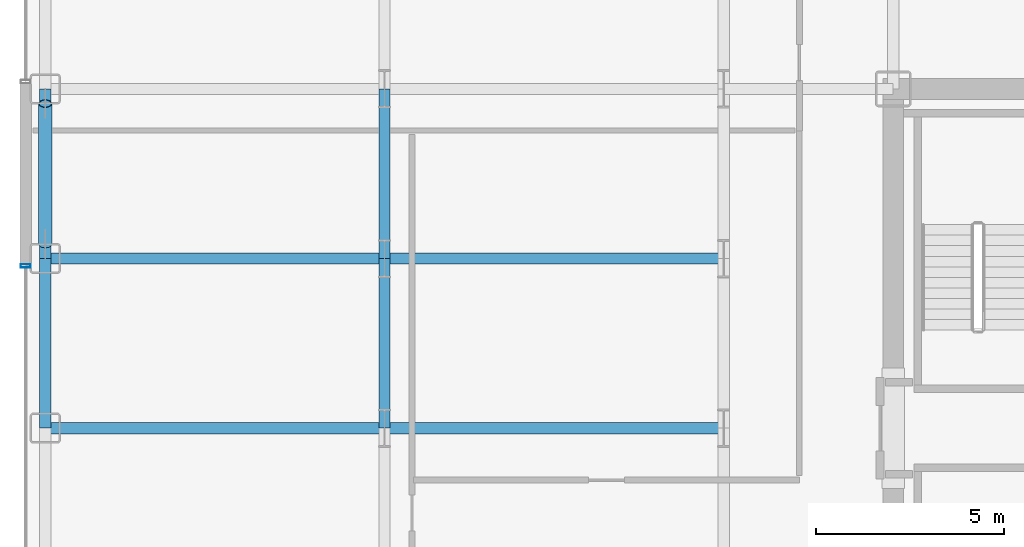
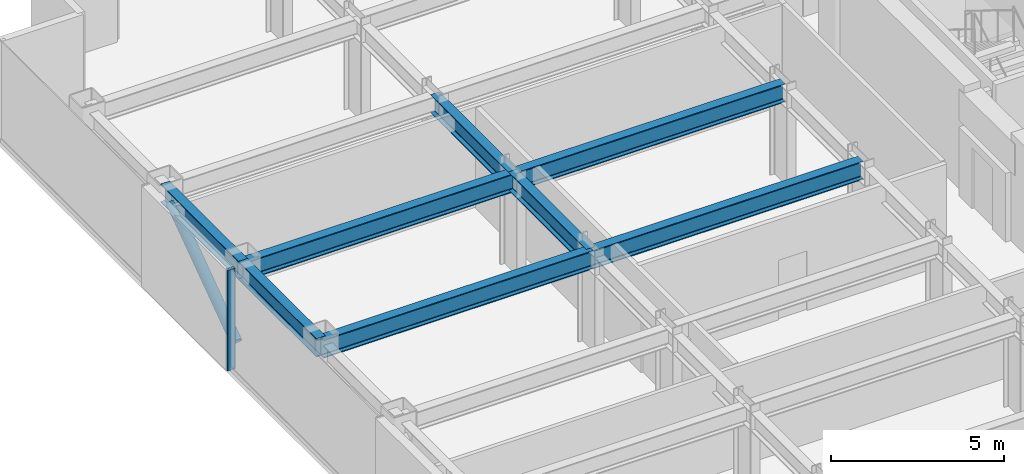
# One storey, part 6 of 29: 8 beams, 2 members, 1 element without a shape of its own.
"""IFC4 building model written with IfcOpenShell, lengths in metres."""

from ifc_helpers import new_model, si_unit, direction, frame, origin, origin_2d, place, context, subcontext, project, spatial, hollow_rectangle, hollow_circle, i_section, extrude, source, transform, mapped, material, layer, layer_set, material_profile, profile_set, type_object, element, aggregate, save


model = new_model("IFC4")

# Units and contexts
model_context = context("Model", 3, precision=1e-05, world=origin(), true_north=direction((0.0, 1.0)))
body_context = subcontext(model_context, "Body", "Model", "MODEL_VIEW")
ifc_project = project(units=[si_unit("LENGTHUNIT", "METRE"), si_unit("AREAUNIT", "SQUARE_METRE"), si_unit("VOLUMEUNIT", "CUBIC_METRE"), si_unit("PLANEANGLEUNIT", "RADIAN"), si_unit("MASSUNIT", "GRAM", prefix="KILO")], contexts=[model_context])

# Site, building, storey
site_placement = place(None, origin())
site = spatial("IfcSite", under=ifc_project, at=site_placement, CompositionType="ELEMENT")
building_placement = place(site_placement, origin())
building = spatial("IfcBuilding", under=site, at=building_placement, Name="Nefas-Gora Pilgrimage Tower", CompositionType="ELEMENT")
storey_placement = place(building_placement, frame((0.0, 0.0, 136.39990234375)))
storey = spatial("IfcBuildingStorey", under=building, at=storey_placement, Name="L33", CompositionType="ELEMENT", Elevation=136.39990234375)

# Beams
ifc_material_1 = material(Name="Steel S355", Category="steel")
ifc_material_profile_1 = material_profile(ifc_material_1, i_section(OverallWidth=0.300048828125, OverallDepth=0.64990234375, WebThickness=0.01611328125, FlangeThickness=0.031005859375, FilletRadius=0.027099609375, at=origin_2d()), Name="HEB 650")
ifc_profile_set_1 = profile_set([ifc_material_profile_1], Name="Steel S355")
beam_type_1 = type_object("IfcBeamType", Name="BM-SPN-HEB500", PredefinedType="SPANDREL", material=ifc_profile_set_1)
shared_shape_1 = source(origin(), body_context, "Body", "SweptSolid", [
    extrude(i_section(OverallWidth=0.300048828125, OverallDepth=0.64990234375, WebThickness=0.01611328125, FlangeThickness=0.031005859375, FilletRadius=0.027099609375, at=origin_2d()), origin(), (0.0, 0.0, 1.0), 4.5),
])
for number, where, z_axis, x_axis, name in (
    (1, (-33.75, 0.0, 3.22509765625), (0.0, 1.0, 0.0), (-1.0, 0.0, 0.0), "L33 SP-02 beam"),
    (2, (-33.75, 4.5, 3.22509765625), (0.0, 1.0, 0.0), (-1.0, 0.0, 0.0), "L33 SP-02 beam"),
):
    element("IfcBeam", number, at=place(storey_placement, frame(where, z_axis=z_axis, x_axis=x_axis)), inside=storey, type_object=beam_type_1, Name=name, PredefinedType="SPANDREL", context=body_context, shape_type="MappedRepresentation", body=[
        mapped(shared_shape_1, transform((0.0, 0.0, 0.0), x_axis=(1.0, 0.0, 0.0), y_axis=(0.0, 1.0, 0.0), z_axis=(0.0, 0.0, 1.0), scale=1.0)),
    ])
ifc_material_profile_2 = material_profile(ifc_material_1, i_section(OverallWidth=0.300048828125, OverallDepth=0.64990234375, WebThickness=0.01611328125, FlangeThickness=0.031005859375, FilletRadius=0.027099609375, at=origin_2d()), Name="HEB 650")
ifc_profile_set_2 = profile_set([ifc_material_profile_2], Name="Steel S355")
beam_type_2 = type_object("IfcBeamType", Name="BM-GIR-HEB650", PredefinedType="BEAM", material=ifc_profile_set_2)
shared_shape_2 = source(origin(), body_context, "Body", "SweptSolid", [
    extrude(i_section(OverallWidth=0.300048828125, OverallDepth=0.64990234375, WebThickness=0.01611328125, FlangeThickness=0.031005859375, FilletRadius=0.027099609375, at=origin_2d()), origin(), (0.0, 0.0, 1.0), 9.0),
])
for number, where, z_axis, x_axis, name in (
    (3, (-33.75, 0.0, 3.22509765625), (1.0, 0.0, 0.0), (0.0, 1.0, 0.0), "L33 G-03 beam"),
    (4, (-33.75, 4.5, 3.22509765625), (1.0, 0.0, 0.0), (0.0, 1.0, 0.0), "L33 G-03 beam"),
    (5, (-24.75, 0.0, 3.22509765625), (1.0, 0.0, 0.0), (0.0, 1.0, 0.0), "L33 G-03 beam"),
    (6, (-24.75, 4.5, 3.22509765625), (1.0, 0.0, 0.0), (0.0, 1.0, 0.0), "L33 G-03 beam"),
):
    element("IfcBeam", number, at=place(storey_placement, frame(where, z_axis=z_axis, x_axis=x_axis)), inside=storey, type_object=beam_type_2, Name=name, PredefinedType="BEAM", context=body_context, shape_type="MappedRepresentation", body=[
        mapped(shared_shape_2, transform((0.0, 0.0, 0.0), x_axis=(1.0, 0.0, 0.0), y_axis=(0.0, 1.0, 0.0), z_axis=(0.0, 0.0, 1.0), scale=1.0)),
    ])
shared_shape_3 = source(origin(), body_context, "Body", "SweptSolid", [
    extrude(i_section(OverallWidth=0.300048828125, OverallDepth=0.64990234375, WebThickness=0.01611328125, FlangeThickness=0.031005859375, FilletRadius=0.027099609375, at=origin_2d()), origin(), (0.0, 0.0, 1.0), 4.5),
])
for number, where, z_axis, x_axis, name in (
    (7, (-24.75, 0.0, 3.22509765625), (0.0, 1.0, 0.0), (-1.0, 0.0, 0.0), "L33 G-03 beam"),
    (8, (-24.75, 4.5, 3.22509765625), (0.0, 1.0, 0.0), (-1.0, 0.0, 0.0), "L33 G-03 beam"),
):
    element("IfcBeam", number, at=place(storey_placement, frame(where, z_axis=z_axis, x_axis=x_axis)), inside=storey, type_object=beam_type_2, Name=name, PredefinedType="BEAM", context=body_context, shape_type="MappedRepresentation", body=[
        mapped(shared_shape_3, transform((0.0, 0.0, 0.0), x_axis=(1.0, 0.0, 0.0), y_axis=(0.0, 1.0, 0.0), z_axis=(0.0, 0.0, 1.0), scale=1.0)),
    ])

# Member
ifc_material_2 = material(Name="Steel S460", Category="steel")
ifc_material_profile_3 = material_profile(ifc_material_2, hollow_circle(Radius=0.177734375, WallThickness=0.02001953125, at=origin_2d()), Name="CHS 355.6x20")
ifc_profile_set_3 = profile_set([ifc_material_profile_3], Name="Steel S460")
member_type_1 = type_object("IfcMemberType", Name="MEM-TUBE-356", PredefinedType="BRACE", material=ifc_profile_set_3)
shared_shape_4 = source(origin(), body_context, "Body", "SweptSolid", [
    extrude(hollow_circle(Radius=0.177734375, WallThickness=0.02001953125, at=origin_2d()), origin(), (0.0, 0.0, 1.0), 4.579345703125),
])
member_1_placement = place(storey_placement, frame((-33.75, 4.887939453125, 0.427734375), z_axis=(0.0, 0.813246879171, 0.581918820385), x_axis=(-1.0, 0.0, 0.0)))
element("IfcMember", 9, at=member_1_placement, inside=storey, type_object=member_type_1, Name="L33 Perimeter Tube Diagonal Brace W2", PredefinedType="BRACE", context=body_context, shape_type="MappedRepresentation", body=[
    mapped(shared_shape_4, transform((0.0, 0.0, 0.0), x_axis=(1.0, 0.0, 0.0), y_axis=(0.0, 1.0, 0.0), z_axis=(0.0, 0.0, 1.0), scale=1.0)),
])

# Curtain wall, member
ifc_material_3 = material(Name="Dark ceramic-fritted solar-control aluminium-glass curtain wall", Category="aluminium")
ifc_layer = layer(ifc_material_3, 0.219970703125)
ifc_layer_set = layer_set([ifc_layer], Name="Dark ceramic-fritted solar-control aluminium-glass curtain wall")
curtain_wall_type = type_object("IfcCurtainWallType", Name="CW-SYS-2", PredefinedType="NOTDEFINED", material=ifc_layer_set)
curtain_wall_placement = place(storey_placement, origin())
curtain_wall = element("IfcCurtainWall", 10, at=curtain_wall_placement, inside=storey, type_object=curtain_wall_type, Name="L33 Unitised Curtain Wall CW2", PredefinedType="NOTDEFINED")
ifc_material_4 = material(Name="Anodised architectural aluminium", Category="aluminium")
ifc_material_profile_4 = material_profile(ifc_material_4, hollow_rectangle(XDim=0.090087890625, YDim=0.260009765625, WallThickness=0.006103515625, InnerFilletRadius=0.006103515625, OuterFilletRadius=0.011962890625, at=origin_2d()), Name="ALU MULLION 90x260")
ifc_profile_set_4 = profile_set([ifc_material_profile_4], Name="Anodised architectural aluminium")
member_type_2 = type_object("IfcMemberType", Name="CWM-MUL-2", PredefinedType="MULLION", material=ifc_profile_set_4)
shared_shape_5 = source(origin(), body_context, "Body", "SweptSolid", [
    extrude(hollow_rectangle(XDim=0.090087890625, YDim=0.260009765625, WallThickness=0.006103515625, InnerFilletRadius=0.006103515625, OuterFilletRadius=0.011962890625, at=origin_2d()), origin(), (0.0, 0.0, 1.0), 3.550048828125),
])
member_2_placement = place(storey_placement, frame((-34.27001953125, 4.304931640625, 0.0), z_axis=(0.0, 0.0, 1.0), x_axis=(0.0, -1.0, 0.0)))
member_2 = element("IfcMember", 11, at=member_2_placement, type_object=member_type_2, Name="CW2 Mullion 1", PredefinedType="MULLION", context=body_context, shape_type="MappedRepresentation", body=[
    mapped(shared_shape_5, transform((0.0, 0.0, 0.0), x_axis=(1.0, 0.0, 0.0), y_axis=(0.0, 1.0, 0.0), z_axis=(0.0, 0.0, 1.0), scale=1.0)),
])
aggregate(curtain_wall, [member_2])

save(model, "model.ifc")
